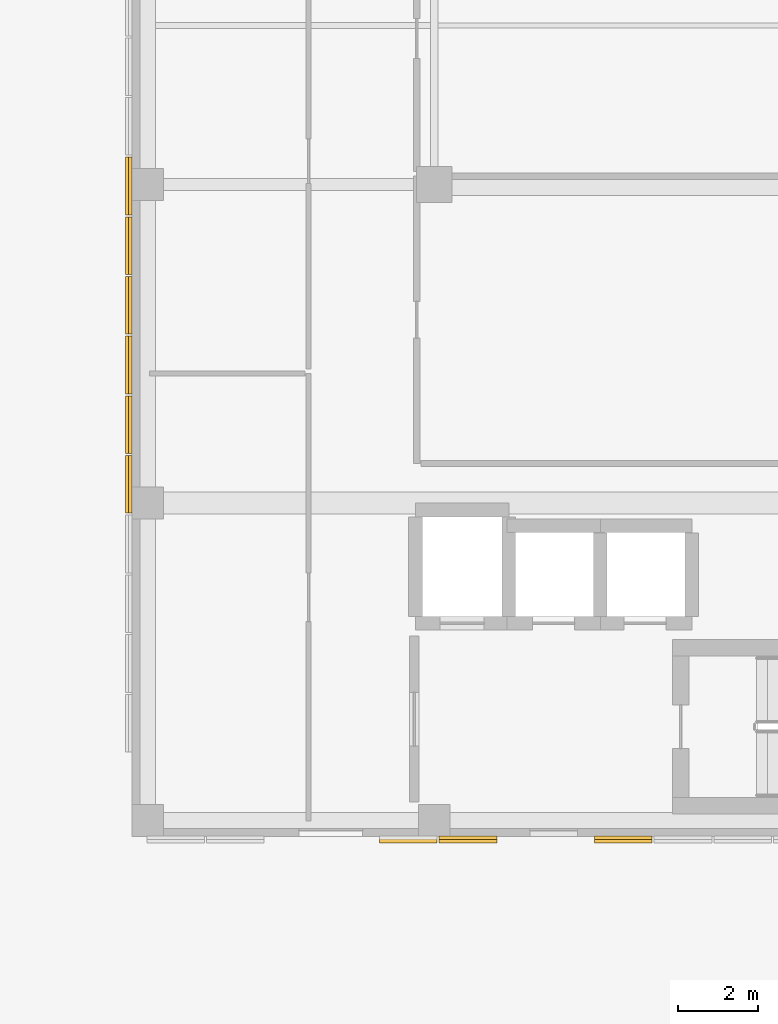
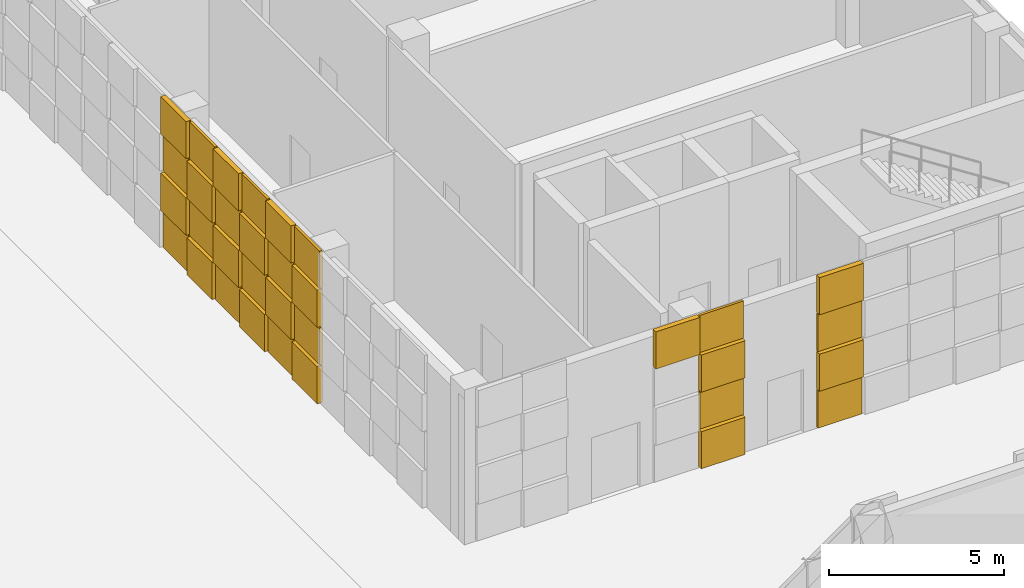
# One storey, part 29 of 40: 33 coverings.
"""IFC4 building model written with IfcOpenShell, lengths in metres."""

from ifc_helpers import new_model, si_unit, direction, frame, origin, origin_2d, place, context, subcontext, project, spatial, rectangle, extrude, material, layer, layer_set, type_object, element, save


model = new_model("IFC4")

# Units and contexts
model_context = context("Model", 3, precision=1e-05, world=origin(), true_north=direction((0.0, 1.0)))
body_context = subcontext(model_context, "Body", "Model", "MODEL_VIEW")
ifc_project = project(units=[si_unit("LENGTHUNIT", "METRE"), si_unit("AREAUNIT", "SQUARE_METRE"), si_unit("VOLUMEUNIT", "CUBIC_METRE"), si_unit("PLANEANGLEUNIT", "RADIAN"), si_unit("MASSUNIT", "GRAM", prefix="KILO")], contexts=[model_context])

# Site, building, storey
site_placement = place(None, origin())
site = spatial("IfcSite", under=ifc_project, at=site_placement, CompositionType="ELEMENT")
building_placement = place(site_placement, origin())
building = spatial("IfcBuilding", under=site, at=building_placement, Name="Qalavern Law Courts", CompositionType="ELEMENT")
storey_placement = place(building_placement, origin())
storey = spatial("IfcBuildingStorey", under=building, at=storey_placement, Name="L00", CompositionType="ELEMENT", Elevation=0.0)

# Coverings
ifc_material = material(Name="Precast concrete C40/50", Category="concrete")
ifc_layer_1 = layer(ifc_material, 0.06005859375)
ifc_layer_set_1 = layer_set([ifc_layer_1], Name="Precast concrete C40/50")
covering_type_1 = type_object("IfcCoveringType", Name="ENV-CLD-1", PredefinedType="CLADDING", material=ifc_layer_set_1)
covering_1_placement = place(storey_placement, frame((92.64990234375, 40.93994140625, 0.050048828125), z_axis=(0.0, 0.0, 1.0), x_axis=(1.0, 0.0, 0.0)))
element("IfcCovering", 1, at=covering_1_placement, inside=storey, type_object=covering_type_1, Name="Cast drop-relief street-base tile 0785", PredefinedType="CLADDING", context=body_context, shape_type="SweptSolid", body=[
    extrude(rectangle(XDim=1.449951171875, YDim=0.16796875, at=origin_2d()), origin(), (0.0, 0.0, 1.0), 1.294921875),
])
covering_2_placement = place(storey_placement, frame((92.64990234375, 40.98193359375, 4.054931640625), z_axis=(0.0, 0.0, 1.0), x_axis=(1.0, 0.0, 0.0)))
element("IfcCovering", 2, at=covering_2_placement, inside=storey, type_object=covering_type_1, Name="Cast drop-relief street-base tile 0788", PredefinedType="CLADDING", context=body_context, shape_type="SweptSolid", body=[
    extrude(rectangle(XDim=1.449951171875, YDim=0.083984375, at=origin_2d()), origin(), (0.0, 0.0, 1.0), 1.294921875),
])
covering_3_placement = place(storey_placement, frame((96.550048828125, 40.93994140625, 1.385009765625), z_axis=(0.0, 0.0, 1.0), x_axis=(1.0, 0.0, 0.0)))
element("IfcCovering", 3, at=covering_3_placement, inside=storey, type_object=covering_type_1, Name="Cast drop-relief street-base tile 0790", PredefinedType="CLADDING", context=body_context, shape_type="SweptSolid", body=[
    extrude(rectangle(XDim=1.449951171875, YDim=0.16796875, at=origin_2d()), origin(), (0.0, 0.0, 1.0), 1.294921875),
])
covering_4_placement = place(storey_placement, frame((84.162109375, 57.364990234375, 0.050048828125), z_axis=(0.0, 0.0, 1.0), x_axis=(0.0, -1.0, 0.0)))
element("IfcCovering", 4, at=covering_4_placement, inside=storey, type_object=covering_type_1, Name="Cast drop-relief street-base tile 1021", PredefinedType="CLADDING", context=body_context, shape_type="SweptSolid", body=[
    extrude(rectangle(XDim=1.449951171875, YDim=0.083984375, at=origin_2d()), origin(), (0.0, 0.0, 1.0), 1.294921875),
])
for number, where, z_axis, x_axis, name in (
    (5, (84.1201171875, 57.364990234375, 4.054931640625), (0.0, 0.0, 1.0), (0.0, -1.0, 0.0), "Cast drop-relief street-base tile 1024"),
    (6, (84.1201171875, 55.864990234375, 2.719970703125), (0.0, 0.0, 1.0), (0.0, -1.0, 0.0), "Cast drop-relief street-base tile 1027"),
    (7, (84.1201171875, 54.364990234375, 1.385009765625), (0.0, 0.0, 1.0), (0.0, -1.0, 0.0), "Cast drop-relief street-base tile 1030"),
    (8, (84.1201171875, 52.864990234375, 0.050048828125), (0.0, 0.0, 1.0), (0.0, -1.0, 0.0), "Cast drop-relief street-base tile 1033"),
):
    element("IfcCovering", number, at=place(storey_placement, frame(where, z_axis=z_axis, x_axis=x_axis)), inside=storey, type_object=covering_type_1, Name=name, PredefinedType="CLADDING", context=body_context, shape_type="SweptSolid", body=[
        extrude(rectangle(XDim=1.449951171875, YDim=0.16796875, at=origin_2d()), origin(), (0.0, 0.0, 1.0), 1.294921875),
    ])
for number, where, z_axis, x_axis, name in (
    (9, (84.162109375, 52.864990234375, 4.054931640625), (0.0, 0.0, 1.0), (0.0, -1.0, 0.0), "Cast drop-relief street-base tile 1036"),
    (10, (84.162109375, 51.364990234375, 2.719970703125), (0.0, 0.0, 1.0), (0.0, -1.0, 0.0), "Cast drop-relief street-base tile 1039"),
    (11, (84.162109375, 49.864990234375, 1.385009765625), (0.0, 0.0, 1.0), (0.0, -1.0, 0.0), "Cast drop-relief street-base tile 1042"),
):
    element("IfcCovering", number, at=place(storey_placement, frame(where, z_axis=z_axis, x_axis=x_axis)), inside=storey, type_object=covering_type_1, Name=name, PredefinedType="CLADDING", context=body_context, shape_type="SweptSolid", body=[
        extrude(rectangle(XDim=1.449951171875, YDim=0.083984375, at=origin_2d()), origin(), (0.0, 0.0, 1.0), 1.294921875),
    ])
ifc_layer_2 = layer(ifc_material, 0.072021484375)
ifc_layer_set_2 = layer_set([ifc_layer_2], Name="Precast concrete C40/50")
covering_type_2 = type_object("IfcCoveringType", Name="ENV-CLD-2", PredefinedType="CLADDING", material=ifc_layer_set_2)
for number, where, z_axis, x_axis, name in (
    (12, (92.64990234375, 40.98193359375, 1.385009765625), (0.0, 0.0, 1.0), (1.0, 0.0, 0.0), "Cast drop-relief street-base tile 0786"),
    (13, (96.550048828125, 40.98193359375, 2.719970703125), (0.0, 0.0, 1.0), (1.0, 0.0, 0.0), "Cast drop-relief street-base tile 0791"),
):
    element("IfcCovering", number, at=place(storey_placement, frame(where, z_axis=z_axis, x_axis=x_axis)), inside=storey, type_object=covering_type_2, Name=name, PredefinedType="CLADDING", context=body_context, shape_type="SweptSolid", body=[
        extrude(rectangle(XDim=1.449951171875, YDim=0.083984375, at=origin_2d()), origin(), (0.0, 0.0, 1.0), 1.294921875),
    ])
for number, where, z_axis, x_axis, name in (
    (14, (84.1201171875, 57.364990234375, 1.385009765625), (0.0, 0.0, 1.0), (0.0, -1.0, 0.0), "Cast drop-relief street-base tile 1022"),
    (15, (84.1201171875, 55.864990234375, 0.050048828125), (0.0, 0.0, 1.0), (0.0, -1.0, 0.0), "Cast drop-relief street-base tile 1025"),
):
    element("IfcCovering", number, at=place(storey_placement, frame(where, z_axis=z_axis, x_axis=x_axis)), inside=storey, type_object=covering_type_2, Name=name, PredefinedType="CLADDING", context=body_context, shape_type="SweptSolid", body=[
        extrude(rectangle(XDim=1.449951171875, YDim=0.16796875, at=origin_2d()), origin(), (0.0, 0.0, 1.0), 1.294921875),
    ])
for number, where, z_axis, x_axis, name in (
    (16, (84.162109375, 55.864990234375, 4.054931640625), (0.0, 0.0, 1.0), (0.0, -1.0, 0.0), "Cast drop-relief street-base tile 1028"),
    (17, (84.162109375, 54.364990234375, 2.719970703125), (0.0, 0.0, 1.0), (0.0, -1.0, 0.0), "Cast drop-relief street-base tile 1031"),
    (18, (84.162109375, 52.864990234375, 1.385009765625), (0.0, 0.0, 1.0), (0.0, -1.0, 0.0), "Cast drop-relief street-base tile 1034"),
    (19, (84.162109375, 51.364990234375, 0.050048828125), (0.0, 0.0, 1.0), (0.0, -1.0, 0.0), "Cast drop-relief street-base tile 1037"),
):
    element("IfcCovering", number, at=place(storey_placement, frame(where, z_axis=z_axis, x_axis=x_axis)), inside=storey, type_object=covering_type_2, Name=name, PredefinedType="CLADDING", context=body_context, shape_type="SweptSolid", body=[
        extrude(rectangle(XDim=1.449951171875, YDim=0.083984375, at=origin_2d()), origin(), (0.0, 0.0, 1.0), 1.294921875),
    ])
for number, where, z_axis, x_axis, name in (
    (20, (84.1201171875, 51.364990234375, 4.054931640625), (0.0, 0.0, 1.0), (0.0, -1.0, 0.0), "Cast drop-relief street-base tile 1040"),
    (21, (84.1201171875, 49.864990234375, 2.719970703125), (0.0, 0.0, 1.0), (0.0, -1.0, 0.0), "Cast drop-relief street-base tile 1043"),
):
    element("IfcCovering", number, at=place(storey_placement, frame(where, z_axis=z_axis, x_axis=x_axis)), inside=storey, type_object=covering_type_2, Name=name, PredefinedType="CLADDING", context=body_context, shape_type="SweptSolid", body=[
        extrude(rectangle(XDim=1.449951171875, YDim=0.16796875, at=origin_2d()), origin(), (0.0, 0.0, 1.0), 1.294921875),
    ])
ifc_layer_3 = layer(ifc_material, 0.083984375)
ifc_layer_set_3 = layer_set([ifc_layer_3], Name="Precast concrete C40/50")
covering_type_3 = type_object("IfcCoveringType", Name="ENV-CLD-3", PredefinedType="CLADDING", material=ifc_layer_set_3)
for number, where, z_axis, x_axis, name in (
    (22, (91.14990234375, 40.93994140625, 4.054931640625), (0.0, 0.0, 1.0), (1.0, 0.0, 0.0), "Cast drop-relief street-base tile 0784"),
    (23, (92.64990234375, 40.93994140625, 2.719970703125), (0.0, 0.0, 1.0), (1.0, 0.0, 0.0), "Cast drop-relief street-base tile 0787"),
):
    element("IfcCovering", number, at=place(storey_placement, frame(where, z_axis=z_axis, x_axis=x_axis)), inside=storey, type_object=covering_type_3, Name=name, PredefinedType="CLADDING", context=body_context, shape_type="SweptSolid", body=[
        extrude(rectangle(XDim=1.449951171875, YDim=0.16796875, at=origin_2d()), origin(), (0.0, 0.0, 1.0), 1.294921875),
    ])
covering_5_placement = place(storey_placement, frame((96.550048828125, 40.98193359375, 0.050048828125), z_axis=(0.0, 0.0, 1.0), x_axis=(1.0, 0.0, 0.0)))
element("IfcCovering", 24, at=covering_5_placement, inside=storey, type_object=covering_type_3, Name="Cast drop-relief street-base tile 0789", PredefinedType="CLADDING", context=body_context, shape_type="SweptSolid", body=[
    extrude(rectangle(XDim=1.449951171875, YDim=0.083984375, at=origin_2d()), origin(), (0.0, 0.0, 1.0), 1.294921875),
])
covering_6_placement = place(storey_placement, frame((96.550048828125, 40.93994140625, 4.054931640625), z_axis=(0.0, 0.0, 1.0), x_axis=(1.0, 0.0, 0.0)))
element("IfcCovering", 25, at=covering_6_placement, inside=storey, type_object=covering_type_3, Name="Cast drop-relief street-base tile 0792", PredefinedType="CLADDING", context=body_context, shape_type="SweptSolid", body=[
    extrude(rectangle(XDim=1.449951171875, YDim=0.16796875, at=origin_2d()), origin(), (0.0, 0.0, 1.0), 1.294921875),
])
for number, where, z_axis, x_axis, name in (
    (26, (84.162109375, 57.364990234375, 2.719970703125), (0.0, 0.0, 1.0), (0.0, -1.0, 0.0), "Cast drop-relief street-base tile 1023"),
    (27, (84.162109375, 55.864990234375, 1.385009765625), (0.0, 0.0, 1.0), (0.0, -1.0, 0.0), "Cast drop-relief street-base tile 1026"),
    (28, (84.162109375, 54.364990234375, 0.050048828125), (0.0, 0.0, 1.0), (0.0, -1.0, 0.0), "Cast drop-relief street-base tile 1029"),
):
    element("IfcCovering", number, at=place(storey_placement, frame(where, z_axis=z_axis, x_axis=x_axis)), inside=storey, type_object=covering_type_3, Name=name, PredefinedType="CLADDING", context=body_context, shape_type="SweptSolid", body=[
        extrude(rectangle(XDim=1.449951171875, YDim=0.083984375, at=origin_2d()), origin(), (0.0, 0.0, 1.0), 1.294921875),
    ])
for number, where, z_axis, x_axis, name in (
    (29, (84.1201171875, 54.364990234375, 4.054931640625), (0.0, 0.0, 1.0), (0.0, -1.0, 0.0), "Cast drop-relief street-base tile 1032"),
    (30, (84.1201171875, 52.864990234375, 2.719970703125), (0.0, 0.0, 1.0), (0.0, -1.0, 0.0), "Cast drop-relief street-base tile 1035"),
    (31, (84.1201171875, 51.364990234375, 1.385009765625), (0.0, 0.0, 1.0), (0.0, -1.0, 0.0), "Cast drop-relief street-base tile 1038"),
    (32, (84.1201171875, 49.864990234375, 0.050048828125), (0.0, 0.0, 1.0), (0.0, -1.0, 0.0), "Cast drop-relief street-base tile 1041"),
):
    element("IfcCovering", number, at=place(storey_placement, frame(where, z_axis=z_axis, x_axis=x_axis)), inside=storey, type_object=covering_type_3, Name=name, PredefinedType="CLADDING", context=body_context, shape_type="SweptSolid", body=[
        extrude(rectangle(XDim=1.449951171875, YDim=0.16796875, at=origin_2d()), origin(), (0.0, 0.0, 1.0), 1.294921875),
    ])
covering_7_placement = place(storey_placement, frame((84.162109375, 49.864990234375, 4.054931640625), z_axis=(0.0, 0.0, 1.0), x_axis=(0.0, -1.0, 0.0)))
element("IfcCovering", 33, at=covering_7_placement, inside=storey, type_object=covering_type_3, Name="Cast drop-relief street-base tile 1044", PredefinedType="CLADDING", context=body_context, shape_type="SweptSolid", body=[
    extrude(rectangle(XDim=1.449951171875, YDim=0.083984375, at=origin_2d()), origin(), (0.0, 0.0, 1.0), 1.294921875),
])

save(model, "model.ifc")
